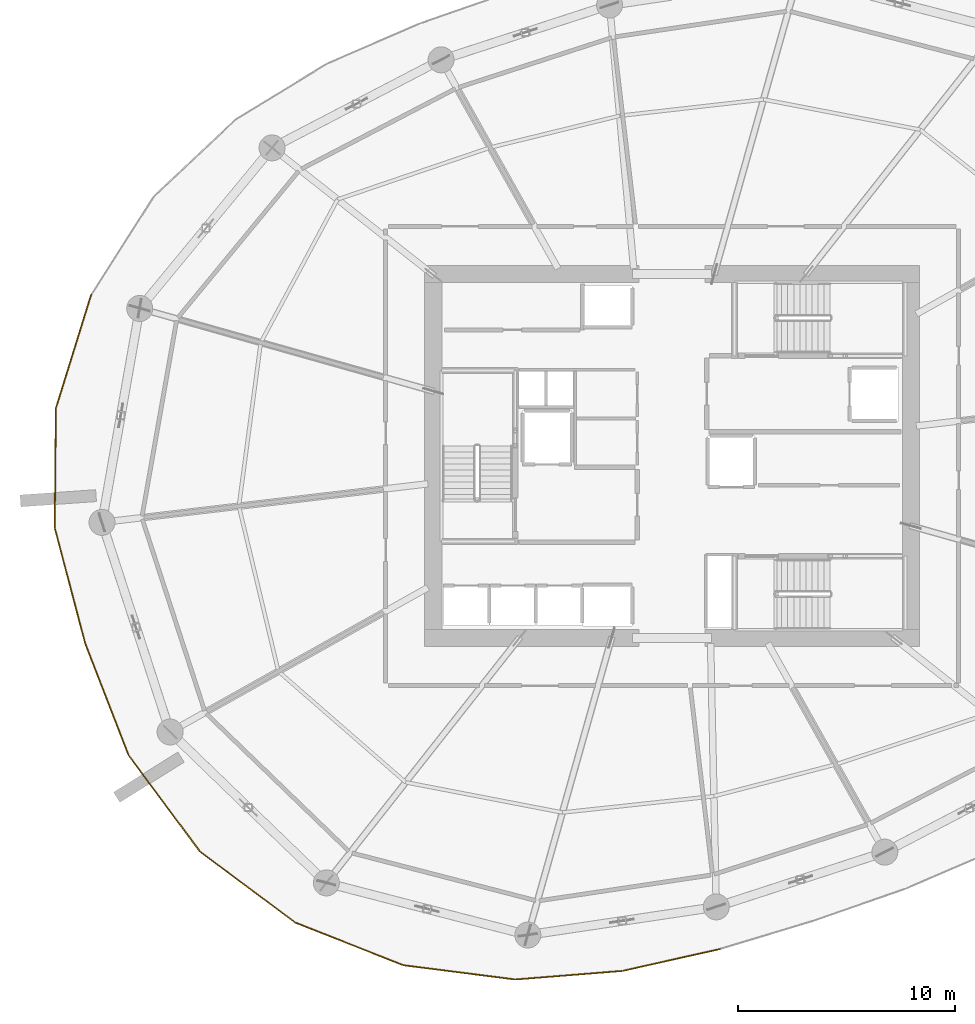
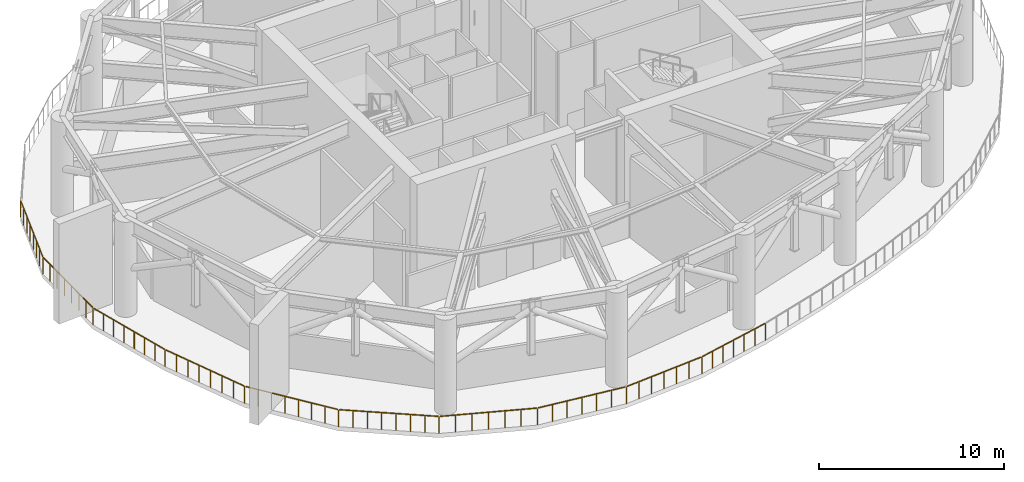
# One storey, part 15 of 19: 10 railings.
"""IFC4 building model written with IfcOpenShell, lengths in metres."""

from ifc_helpers import new_model, si_unit, direction, frame, origin, origin_2d, place, context, subcontext, project, spatial, rectangle, extrude, material, type_object, element, save


model = new_model("IFC4")

# Units and contexts
model_context = context("Model", 3, precision=1e-05, world=origin(), true_north=direction((0.0, 1.0)))
body_context = subcontext(model_context, "Body", "Model", "MODEL_VIEW")
ifc_project = project(units=[si_unit("LENGTHUNIT", "METRE"), si_unit("AREAUNIT", "SQUARE_METRE"), si_unit("VOLUMEUNIT", "CUBIC_METRE"), si_unit("PLANEANGLEUNIT", "RADIAN"), si_unit("MASSUNIT", "GRAM", prefix="KILO")], contexts=[model_context])

# Site, building, storey
site_placement = place(None, origin())
site = spatial("IfcSite", under=ifc_project, at=site_placement, CompositionType="ELEMENT")
building_placement = place(site_placement, origin())
building = spatial("IfcBuilding", under=site, at=building_placement, Name="Kazma Halo Residences", CompositionType="ELEMENT")
storey_placement = place(building_placement, frame((0.0, 0.0, 116.39990234375)))
storey = spatial("IfcBuildingStorey", under=building, at=storey_placement, Name="L29", CompositionType="ELEMENT", Elevation=116.39990234375)

# Railings
ifc_material = material(Name="Brushed Stainless Steel and Laminated Glass", Category="steel")
railing_type = type_object("IfcRailingType", Name="RLG-EXT-GUARD-1150", PredefinedType="GUARDRAIL", material=ifc_material)
railing_1_placement = place(storey_placement, frame((21.6005859375, 49.4453125, 0.0)))
element("IfcRailing", 1, at=railing_1_placement, inside=storey, type_object=railing_type, Name="L29 open wind-floor perimeter guard 14", PredefinedType="GUARDRAIL", context=body_context, shape_type="SweptSolid", body=[
    extrude(rectangle(XDim=0.050048828125, YDim=0.050048828125, at=origin_2d()), frame((-0.0126953125, -0.04052734375, 1.125), z_axis=(-0.296873619445, -0.954916778614, 0.0), x_axis=(0.954916778614, -0.296873619445, 0.0)), (0.0, 0.0, 1.0), 5.40185546875),
    extrude(rectangle(XDim=0.0400390625, YDim=0.0400390625, at=origin_2d()), origin(), (0.0, 0.0, 1.0), 1.087890625),
    extrude(rectangle(XDim=0.0400390625, YDim=0.0400390625, at=origin_2d()), frame((-0.232666015625, -0.74853515625, 0.0)), (0.0, 0.0, 1.0), 1.087890625),
    extrude(rectangle(XDim=0.0400390625, YDim=0.0400390625, at=origin_2d()), frame((-0.46533203125, -1.4970703125, 0.0)), (0.0, 0.0, 1.0), 1.087890625),
    extrude(rectangle(XDim=0.0400390625, YDim=0.0400390625, at=origin_2d()), frame((-0.697998046875, -2.24560546875, 0.0)), (0.0, 0.0, 1.0), 1.087890625),
    extrude(rectangle(XDim=0.0400390625, YDim=0.0400390625, at=origin_2d()), frame((-0.930908203125, -2.993896484375, 0.0)), (0.0, 0.0, 1.0), 1.087890625),
    extrude(rectangle(XDim=0.0400390625, YDim=0.0400390625, at=origin_2d()), frame((-1.16357421875, -3.742431640625, 0.0)), (0.0, 0.0, 1.0), 1.087890625),
    extrude(rectangle(XDim=0.0400390625, YDim=0.0400390625, at=origin_2d()), frame((-1.396240234375, -4.490966796875, 0.0)), (0.0, 0.0, 1.0), 1.087890625),
    extrude(rectangle(XDim=0.0400390625, YDim=0.0400390625, at=origin_2d()), frame((-1.62890625, -5.239501953125, 0.0)), (0.0, 0.0, 1.0), 1.087890625),
])
railing_2_placement = place(storey_placement, frame((19.9716796875, 44.205810546875, 0.0)))
element("IfcRailing", 2, at=railing_2_placement, inside=storey, type_object=railing_type, Name="L29 open wind-floor perimeter guard 15", PredefinedType="GUARDRAIL", context=body_context, shape_type="SweptSolid", body=[
    extrude(rectangle(XDim=0.050048828125, YDim=0.050048828125, at=origin_2d()), frame((-0.00048828125, -0.04248046875, 1.125), z_axis=(-0.009360239876, -0.999956191995, 0.0), x_axis=(0.999956191995, -0.009360239876, 0.0)), (0.0, 0.0, 1.0), 5.4443359375),
    extrude(rectangle(XDim=0.0400390625, YDim=0.0400390625, at=origin_2d()), origin(), (0.0, 0.0, 1.0), 1.087890625),
    extrude(rectangle(XDim=0.0400390625, YDim=0.0400390625, at=origin_2d()), frame((-0.00732421875, -0.789794921875, 0.0)), (0.0, 0.0, 1.0), 1.087890625),
    extrude(rectangle(XDim=0.0400390625, YDim=0.0400390625, at=origin_2d()), frame((-0.014892578125, -1.579833984375, 0.0)), (0.0, 0.0, 1.0), 1.087890625),
    extrude(rectangle(XDim=0.0400390625, YDim=0.0400390625, at=origin_2d()), frame((-0.022216796875, -2.36962890625, 0.0)), (0.0, 0.0, 1.0), 1.087890625),
    extrude(rectangle(XDim=0.0400390625, YDim=0.0400390625, at=origin_2d()), frame((-0.029541015625, -3.15966796875, 0.0)), (0.0, 0.0, 1.0), 1.087890625),
    extrude(rectangle(XDim=0.0400390625, YDim=0.0400390625, at=origin_2d()), frame((-0.036865234375, -3.949462890625, 0.0)), (0.0, 0.0, 1.0), 1.087890625),
    extrude(rectangle(XDim=0.0400390625, YDim=0.0400390625, at=origin_2d()), frame((-0.04443359375, -4.739501953125, 0.0)), (0.0, 0.0, 1.0), 1.087890625),
    extrude(rectangle(XDim=0.0400390625, YDim=0.0400390625, at=origin_2d()), frame((-0.0517578125, -5.529296875, 0.0)), (0.0, 0.0, 1.0), 1.087890625),
])
railing_3_placement = place(storey_placement, frame((19.919921875, 38.676513671875, 0.0)))
element("IfcRailing", 3, at=railing_3_placement, inside=storey, type_object=railing_type, Name="L29 open wind-floor perimeter guard 16", PredefinedType="GUARDRAIL", context=body_context, shape_type="SweptSolid", body=[
    extrude(rectangle(XDim=0.050048828125, YDim=0.050048828125, at=origin_2d()), frame((0.0107421875, -0.041015625, 1.125), z_axis=(0.2549608997, -0.966951363629, 0.0), x_axis=(0.966951363629, 0.2549608997, 0.0)), (0.0, 0.0, 1.0), 5.43994140625),
    extrude(rectangle(XDim=0.0400390625, YDim=0.0400390625, at=origin_2d()), origin(), (0.0, 0.0, 1.0), 1.087890625),
    extrude(rectangle(XDim=0.0400390625, YDim=0.0400390625, at=origin_2d()), frame((0.201171875, -0.76318359375, 0.0)), (0.0, 0.0, 1.0), 1.087890625),
    extrude(rectangle(XDim=0.0400390625, YDim=0.0400390625, at=origin_2d()), frame((0.402587890625, -1.5263671875, 0.0)), (0.0, 0.0, 1.0), 1.087890625),
    extrude(rectangle(XDim=0.0400390625, YDim=0.0400390625, at=origin_2d()), frame((0.603759765625, -2.28955078125, 0.0)), (0.0, 0.0, 1.0), 1.087890625),
    extrude(rectangle(XDim=0.0400390625, YDim=0.0400390625, at=origin_2d()), frame((0.804931640625, -3.052978515625, 0.0)), (0.0, 0.0, 1.0), 1.087890625),
    extrude(rectangle(XDim=0.0400390625, YDim=0.0400390625, at=origin_2d()), frame((1.006103515625, -3.816162109375, 0.0)), (0.0, 0.0, 1.0), 1.087890625),
    extrude(rectangle(XDim=0.0400390625, YDim=0.0400390625, at=origin_2d()), frame((1.20751953125, -4.579345703125, 0.0)), (0.0, 0.0, 1.0), 1.087890625),
    extrude(rectangle(XDim=0.0400390625, YDim=0.0400390625, at=origin_2d()), frame((1.40869140625, -5.342529296875, 0.0)), (0.0, 0.0, 1.0), 1.087890625),
])
railing_4_placement = place(storey_placement, frame((21.32861328125, 33.333984375, 0.0)))
element("IfcRailing", 4, at=railing_4_placement, inside=storey, type_object=railing_type, Name="L29 open wind-floor perimeter guard 17", PredefinedType="GUARDRAIL", context=body_context, shape_type="SweptSolid", body=[
    extrude(rectangle(XDim=0.050048828125, YDim=0.050048828125, at=origin_2d()), frame((0.015380859375, -0.03955078125, 1.125), z_axis=(0.362100806921, -0.93213894116, 0.0), x_axis=(0.93213894116, 0.362100806921, 0.0)), (0.0, 0.0, 1.0), 5.440185546875),
    extrude(rectangle(XDim=0.0400390625, YDim=0.0400390625, at=origin_2d()), origin(), (0.0, 0.0, 1.0), 1.087890625),
    extrude(rectangle(XDim=0.0400390625, YDim=0.0400390625, at=origin_2d()), frame((0.285888671875, -0.73583984375, 0.0)), (0.0, 0.0, 1.0), 1.087890625),
    extrude(rectangle(XDim=0.0400390625, YDim=0.0400390625, at=origin_2d()), frame((0.571533203125, -1.471435546875, 0.0)), (0.0, 0.0, 1.0), 1.087890625),
    extrude(rectangle(XDim=0.0400390625, YDim=0.0400390625, at=origin_2d()), frame((0.857421875, -2.207275390625, 0.0)), (0.0, 0.0, 1.0), 1.087890625),
    extrude(rectangle(XDim=0.0400390625, YDim=0.0400390625, at=origin_2d()), frame((1.143310546875, -2.943115234375, 0.0)), (0.0, 0.0, 1.0), 1.087890625),
    extrude(rectangle(XDim=0.0400390625, YDim=0.0400390625, at=origin_2d()), frame((1.42919921875, -3.678955078125, 0.0)), (0.0, 0.0, 1.0), 1.087890625),
    extrude(rectangle(XDim=0.0400390625, YDim=0.0400390625, at=origin_2d()), frame((1.71484375, -4.41455078125, 0.0)), (0.0, 0.0, 1.0), 1.087890625),
    extrude(rectangle(XDim=0.0400390625, YDim=0.0400390625, at=origin_2d()), frame((2.000732421875, -5.150390625, 0.0)), (0.0, 0.0, 1.0), 1.087890625),
])
railing_5_placement = place(storey_placement, frame((23.329345703125, 28.18359375, 0.0)))
element("IfcRailing", 5, at=railing_5_placement, inside=storey, type_object=railing_type, Name="L29 open wind-floor perimeter guard 18", PredefinedType="GUARDRAIL", context=body_context, shape_type="SweptSolid", body=[
    extrude(rectangle(XDim=0.050048828125, YDim=0.050048828125, at=origin_2d()), frame((0.025390625, -0.0341796875, 1.125), z_axis=(0.59531307632, -0.803493833929, 0.0), x_axis=(0.803493833929, 0.59531307632, 0.0)), (0.0, 0.0, 1.0), 5.4443359375),
    extrude(rectangle(XDim=0.0400390625, YDim=0.0400390625, at=origin_2d()), origin(), (0.0, 0.0, 1.0), 1.087890625),
    extrude(rectangle(XDim=0.0400390625, YDim=0.0400390625, at=origin_2d()), frame((0.47021484375, -0.634765625, 0.0)), (0.0, 0.0, 1.0), 1.087890625),
    extrude(rectangle(XDim=0.0400390625, YDim=0.0400390625, at=origin_2d()), frame((0.9404296875, -1.269287109375, 0.0)), (0.0, 0.0, 1.0), 1.087890625),
    extrude(rectangle(XDim=0.0400390625, YDim=0.0400390625, at=origin_2d()), frame((1.41064453125, -1.904052734375, 0.0)), (0.0, 0.0, 1.0), 1.087890625),
    extrude(rectangle(XDim=0.0400390625, YDim=0.0400390625, at=origin_2d()), frame((1.881103515625, -2.538818359375, 0.0)), (0.0, 0.0, 1.0), 1.087890625),
    extrude(rectangle(XDim=0.0400390625, YDim=0.0400390625, at=origin_2d()), frame((2.351318359375, -3.173583984375, 0.0)), (0.0, 0.0, 1.0), 1.087890625),
    extrude(rectangle(XDim=0.0400390625, YDim=0.0400390625, at=origin_2d()), frame((2.821533203125, -3.80810546875, 0.0)), (0.0, 0.0, 1.0), 1.087890625),
    extrude(rectangle(XDim=0.0400390625, YDim=0.0400390625, at=origin_2d()), frame((3.291748046875, -4.44287109375, 0.0)), (0.0, 0.0, 1.0), 1.087890625),
])
railing_6_placement = place(storey_placement, frame((26.62109375, 23.74072265625, 0.0)))
element("IfcRailing", 6, at=railing_6_placement, inside=storey, type_object=railing_type, Name="L29 open wind-floor perimeter guard 19", PredefinedType="GUARDRAIL", context=body_context, shape_type="SweptSolid", body=[
    extrude(rectangle(XDim=0.050048828125, YDim=0.050048828125, at=origin_2d()), frame((0.0341796875, -0.025390625, 1.125), z_axis=(0.801487224594, -0.598011896882, 0.0), x_axis=(0.598011896882, 0.801487224594, 0.0)), (0.0, 0.0, 1.0), 5.40185546875),
    extrude(rectangle(XDim=0.0400390625, YDim=0.0400390625, at=origin_2d()), origin(), (0.0, 0.0, 1.0), 1.087890625),
    extrude(rectangle(XDim=0.0400390625, YDim=0.0400390625, at=origin_2d()), frame((0.628173828125, -0.46875, 0.0)), (0.0, 0.0, 1.0), 1.087890625),
    extrude(rectangle(XDim=0.0400390625, YDim=0.0400390625, at=origin_2d()), frame((1.256591796875, -0.9375, 0.0)), (0.0, 0.0, 1.0), 1.087890625),
    extrude(rectangle(XDim=0.0400390625, YDim=0.0400390625, at=origin_2d()), frame((1.884765625, -1.40625, 0.0)), (0.0, 0.0, 1.0), 1.087890625),
    extrude(rectangle(XDim=0.0400390625, YDim=0.0400390625, at=origin_2d()), frame((2.512939453125, -1.875, 0.0)), (0.0, 0.0, 1.0), 1.087890625),
    extrude(rectangle(XDim=0.0400390625, YDim=0.0400390625, at=origin_2d()), frame((3.14111328125, -2.34375, 0.0)), (0.0, 0.0, 1.0), 1.087890625),
    extrude(rectangle(XDim=0.0400390625, YDim=0.0400390625, at=origin_2d()), frame((3.76953125, -2.8125, 0.0)), (0.0, 0.0, 1.0), 1.087890625),
    extrude(rectangle(XDim=0.0400390625, YDim=0.0400390625, at=origin_2d()), frame((4.397705078125, -3.28125, 0.0)), (0.0, 0.0, 1.0), 1.087890625),
])
railing_7_placement = place(storey_placement, frame((31.018798828125, 20.45947265625, 0.0)))
element("IfcRailing", 7, at=railing_7_placement, inside=storey, type_object=railing_type, Name="L29 open wind-floor perimeter guard 20", PredefinedType="GUARDRAIL", context=body_context, shape_type="SweptSolid", body=[
    extrude(rectangle(XDim=0.050048828125, YDim=0.050048828125, at=origin_2d()), frame((0.03955078125, -0.015625, 1.125), z_axis=(0.93031309232, -0.366766342864, 0.0), x_axis=(0.366766342864, 0.93031309232, 0.0)), (0.0, 0.0, 1.0), 5.290771484375),
    extrude(rectangle(XDim=0.0400390625, YDim=0.0400390625, at=origin_2d()), origin(), (0.0, 0.0, 1.0), 1.087890625),
    extrude(rectangle(XDim=0.0400390625, YDim=0.0400390625, at=origin_2d()), frame((0.83349609375, -0.32861328125, 0.0)), (0.0, 0.0, 1.0), 1.087890625),
    extrude(rectangle(XDim=0.0400390625, YDim=0.0400390625, at=origin_2d()), frame((1.6669921875, -0.6572265625, 0.0)), (0.0, 0.0, 1.0), 1.087890625),
    extrude(rectangle(XDim=0.0400390625, YDim=0.0400390625, at=origin_2d()), frame((2.50048828125, -0.98583984375, 0.0)), (0.0, 0.0, 1.0), 1.087890625),
    extrude(rectangle(XDim=0.0400390625, YDim=0.0400390625, at=origin_2d()), frame((3.334228515625, -1.314453125, 0.0)), (0.0, 0.0, 1.0), 1.087890625),
    extrude(rectangle(XDim=0.0400390625, YDim=0.0400390625, at=origin_2d()), frame((4.167724609375, -1.64306640625, 0.0)), (0.0, 0.0, 1.0), 1.087890625),
    extrude(rectangle(XDim=0.0400390625, YDim=0.0400390625, at=origin_2d()), frame((5.001220703125, -1.9716796875, 0.0)), (0.0, 0.0, 1.0), 1.087890625),
])
railing_8_placement = place(storey_placement, frame((36.02001953125, 18.48779296875, 0.0)))
element("IfcRailing", 8, at=railing_8_placement, inside=storey, type_object=railing_type, Name="L29 open wind-floor perimeter guard 21", PredefinedType="GUARDRAIL", context=body_context, shape_type="SweptSolid", body=[
    extrude(rectangle(XDim=0.050048828125, YDim=0.050048828125, at=origin_2d()), frame((0.042236328125, -0.00537109375, 1.125), z_axis=(0.991972578276, -0.126453168993, 0.0), x_axis=(0.126453168993, 0.991972578276, 0.0)), (0.0, 0.0, 1.0), 5.1201171875),
    extrude(rectangle(XDim=0.0400390625, YDim=0.0400390625, at=origin_2d()), origin(), (0.0, 0.0, 1.0), 1.087890625),
    extrude(rectangle(XDim=0.0400390625, YDim=0.0400390625, at=origin_2d()), frame((0.860595703125, -0.109619140625, 0.0)), (0.0, 0.0, 1.0), 1.087890625),
    extrude(rectangle(XDim=0.0400390625, YDim=0.0400390625, at=origin_2d()), frame((1.72119140625, -0.219482421875, 0.0)), (0.0, 0.0, 1.0), 1.087890625),
    extrude(rectangle(XDim=0.0400390625, YDim=0.0400390625, at=origin_2d()), frame((2.58154296875, -0.3291015625, 0.0)), (0.0, 0.0, 1.0), 1.087890625),
    extrude(rectangle(XDim=0.0400390625, YDim=0.0400390625, at=origin_2d()), frame((3.442138671875, -0.438720703125, 0.0)), (0.0, 0.0, 1.0), 1.087890625),
    extrude(rectangle(XDim=0.0400390625, YDim=0.0400390625, at=origin_2d()), frame((4.302734375, -0.548583984375, 0.0)), (0.0, 0.0, 1.0), 1.087890625),
    extrude(rectangle(XDim=0.0400390625, YDim=0.0400390625, at=origin_2d()), frame((5.163330078125, -0.658203125, 0.0)), (0.0, 0.0, 1.0), 1.087890625),
])
railing_9_placement = place(storey_placement, frame((41.183349609375, 17.82958984375, 0.0)))
element("IfcRailing", 9, at=railing_9_placement, inside=storey, type_object=railing_type, Name="L29 open wind-floor perimeter guard 22", PredefinedType="GUARDRAIL", context=body_context, shape_type="SweptSolid", body=[
    extrude(rectangle(XDim=0.050048828125, YDim=0.050048828125, at=origin_2d()), frame((0.04248046875, 0.00341796875, 1.125), z_axis=(0.996817468683, 0.07971784071, 0.0), x_axis=(-0.07971784071, 0.996817468683, 0.0)), (0.0, 0.0, 1.0), 4.876220703125),
    extrude(rectangle(XDim=0.0400390625, YDim=0.0400390625, at=origin_2d()), origin(), (0.0, 0.0, 1.0), 1.087890625),
    extrude(rectangle(XDim=0.0400390625, YDim=0.0400390625, at=origin_2d()), frame((0.82421875, 0.06591796875, 0.0)), (0.0, 0.0, 1.0), 1.087890625),
    extrude(rectangle(XDim=0.0400390625, YDim=0.0400390625, at=origin_2d()), frame((1.6484375, 0.1318359375, 0.0)), (0.0, 0.0, 1.0), 1.087890625),
    extrude(rectangle(XDim=0.0400390625, YDim=0.0400390625, at=origin_2d()), frame((2.47265625, 0.19775390625, 0.0)), (0.0, 0.0, 1.0), 1.087890625),
    extrude(rectangle(XDim=0.0400390625, YDim=0.0400390625, at=origin_2d()), frame((3.297119140625, 0.263671875, 0.0)), (0.0, 0.0, 1.0), 1.087890625),
    extrude(rectangle(XDim=0.0400390625, YDim=0.0400390625, at=origin_2d()), frame((4.121337890625, 0.32958984375, 0.0)), (0.0, 0.0, 1.0), 1.087890625),
    extrude(rectangle(XDim=0.0400390625, YDim=0.0400390625, at=origin_2d()), frame((4.945556640625, 0.3955078125, 0.0)), (0.0, 0.0, 1.0), 1.087890625),
])
railing_10_placement = place(storey_placement, frame((46.12890625, 18.22509765625, 0.0)))
element("IfcRailing", 10, at=railing_10_placement, inside=storey, type_object=railing_type, Name="L29 open wind-floor perimeter guard 23", PredefinedType="GUARDRAIL", context=body_context, shape_type="SweptSolid", body=[
    extrude(rectangle(XDim=0.050048828125, YDim=0.050048828125, at=origin_2d()), frame((0.04150390625, 0.00927734375, 1.125), z_axis=(0.975709421782, 0.21906876602, 0.0), x_axis=(-0.21906876602, 0.975709421782, 0.0)), (0.0, 0.0, 1.0), 4.59228515625),
    extrude(rectangle(XDim=0.0400390625, YDim=0.0400390625, at=origin_2d()), origin(), (0.0, 0.0, 1.0), 1.087890625),
    extrude(rectangle(XDim=0.0400390625, YDim=0.0400390625, at=origin_2d()), frame((0.7607421875, 0.1708984375, 0.0)), (0.0, 0.0, 1.0), 1.087890625),
    extrude(rectangle(XDim=0.0400390625, YDim=0.0400390625, at=origin_2d()), frame((1.521240234375, 0.341552734375, 0.0)), (0.0, 0.0, 1.0), 1.087890625),
    extrude(rectangle(XDim=0.0400390625, YDim=0.0400390625, at=origin_2d()), frame((2.28173828125, 0.51220703125, 0.0)), (0.0, 0.0, 1.0), 1.087890625),
    extrude(rectangle(XDim=0.0400390625, YDim=0.0400390625, at=origin_2d()), frame((3.04248046875, 0.68310546875, 0.0)), (0.0, 0.0, 1.0), 1.087890625),
    extrude(rectangle(XDim=0.0400390625, YDim=0.0400390625, at=origin_2d()), frame((3.80322265625, 0.85400390625, 0.0)), (0.0, 0.0, 1.0), 1.087890625),
    extrude(rectangle(XDim=0.0400390625, YDim=0.0400390625, at=origin_2d()), frame((4.563720703125, 1.024658203125, 0.0)), (0.0, 0.0, 1.0), 1.087890625),
])

save(model, "model.ifc")
